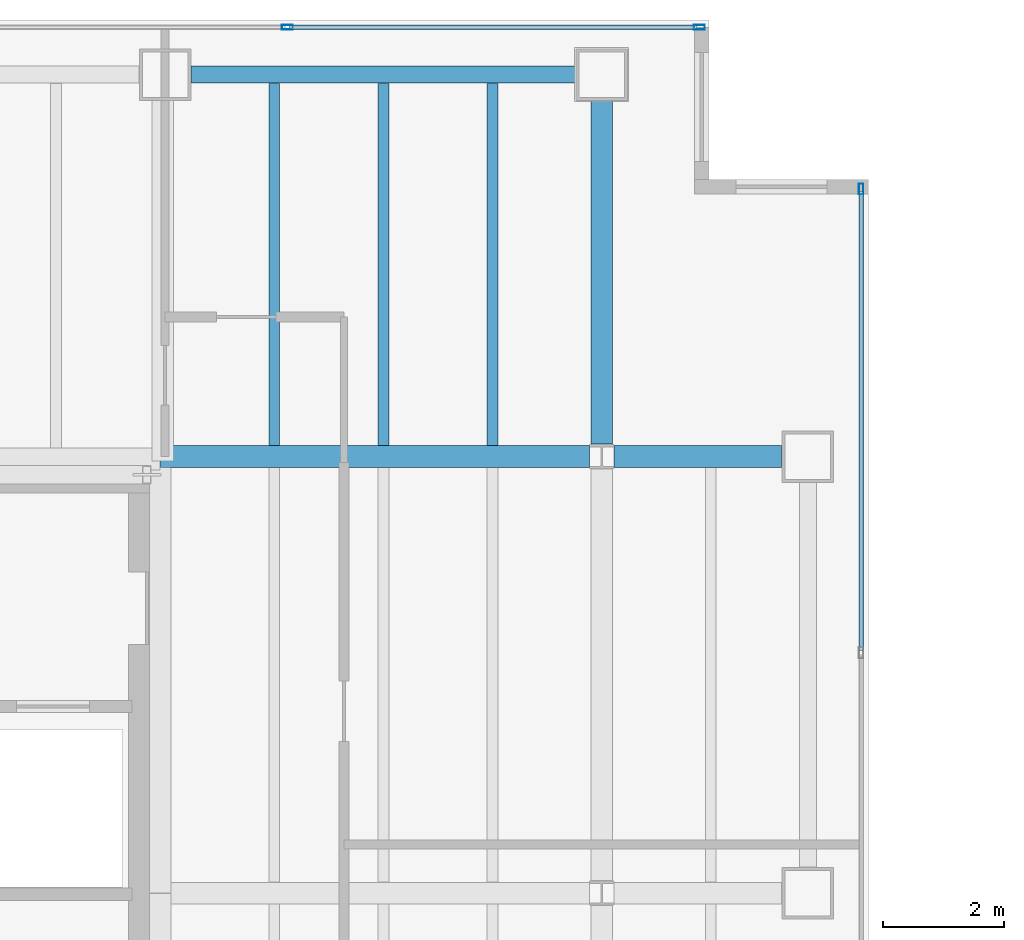
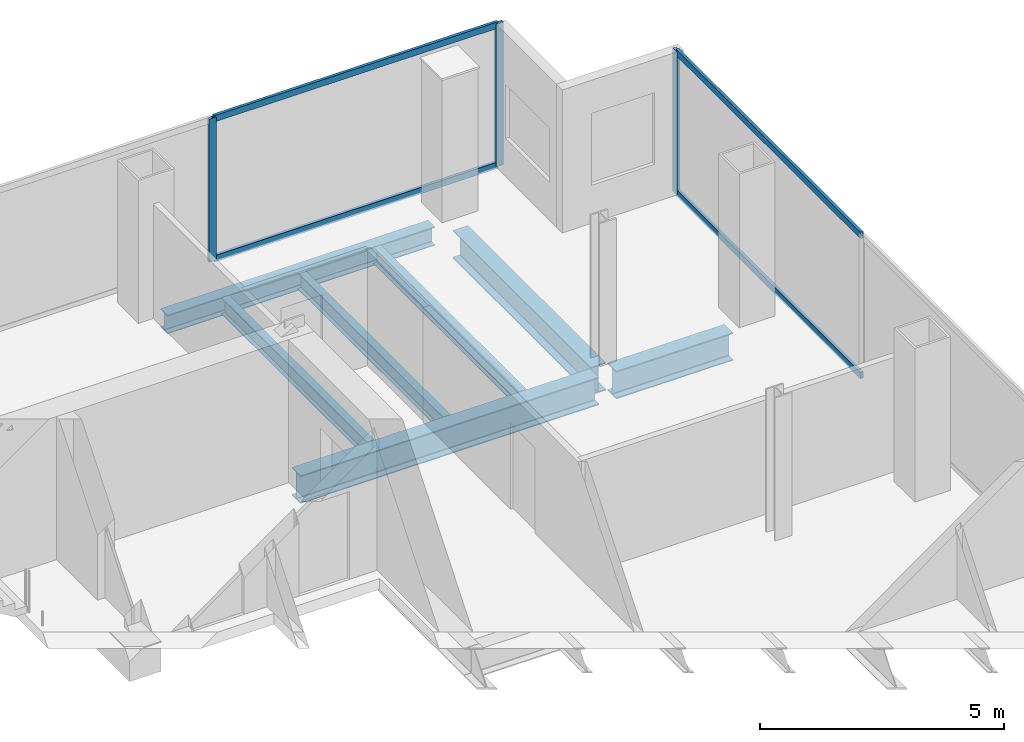
# One storey, part 18 of 23: 7 beams, 7 members, 2 elements without a shape of their own.
"""IFC4 building model written with IfcOpenShell, lengths in metres."""

from ifc_helpers import new_model, si_unit, direction, frame, origin, origin_2d, place, context, subcontext, project, spatial, hollow_rectangle, i_section, extrude, material, material_profile, profile_set, type_object, element, aggregate, save


model = new_model("IFC4")

# Units and contexts
model_context = context("Model", 3, precision=1e-05, world=origin(), true_north=direction((0.0, 1.0)))
body_context = subcontext(model_context, "Body", "Model", "MODEL_VIEW")
ifc_project = project(units=[si_unit("LENGTHUNIT", "METRE"), si_unit("AREAUNIT", "SQUARE_METRE"), si_unit("VOLUMEUNIT", "CUBIC_METRE"), si_unit("PLANEANGLEUNIT", "RADIAN"), si_unit("MASSUNIT", "GRAM", prefix="KILO")], contexts=[model_context])

# Site, building, storey
site_placement = place(None, origin())
site = spatial("IfcSite", under=ifc_project, at=site_placement, CompositionType="ELEMENT")
building_placement = place(site_placement, origin())
building = spatial("IfcBuilding", under=site, at=building_placement, Name="Cobrela Telecom Tower", CompositionType="ELEMENT")
storey_placement = place(building_placement, frame((0.0, 0.0, 159.949951171875)))
storey = spatial("IfcBuildingStorey", under=building, at=storey_placement, Name="L40", CompositionType="ELEMENT", Elevation=159.949951171875)

# Beams
ifc_material_1 = material(Name="Steel ASTM A992 Grade 50", Category="steel")
ifc_material_profile_1 = material_profile(ifc_material_1, i_section(OverallWidth=0.35595703125, OverallDepth=0.696044921875, WebThickness=0.015380859375, FlangeThickness=0.024658203125, FilletRadius=0.01806640625, at=origin_2d()), Name="W27X146")
ifc_profile_set_1 = profile_set([ifc_material_profile_1], Name="Steel ASTM A992 Grade 50")
beam_type_1 = type_object("IfcBeamType", Name="BM-GIRD-05", PredefinedType="USERDEFINED", material=ifc_profile_set_1)
beam_1_placement = place(storey_placement, frame((14.324951171875, 36.0, -0.617919921875), z_axis=(1.0, 0.0, 0.0), x_axis=(0.0, 1.0, 0.0)))
element("IfcBeam", 1, at=beam_1_placement, inside=storey, type_object=beam_type_1, Name="L40 Primary Girder X23", ObjectType="GIRDER", PredefinedType="USERDEFINED", context=body_context, shape_type="SweptSolid", body=[
    extrude(i_section(OverallWidth=0.35595703125, OverallDepth=0.696044921875, WebThickness=0.015380859375, FlangeThickness=0.024658203125, FilletRadius=0.01806640625, at=origin_2d()), origin(), (0.0, 0.0, 1.0), 7.070556640625),
])
beam_2_placement = place(storey_placement, frame((21.804443359375, 36.0, -0.617919921875), z_axis=(1.0, 0.0, 0.0), x_axis=(0.0, 1.0, 0.0)))
element("IfcBeam", 2, at=beam_2_placement, inside=storey, type_object=beam_type_1, Name="L40 Primary Girder X24", ObjectType="GIRDER", PredefinedType="USERDEFINED", context=body_context, shape_type="SweptSolid", body=[
    extrude(i_section(OverallWidth=0.35595703125, OverallDepth=0.696044921875, WebThickness=0.015380859375, FlangeThickness=0.024658203125, FilletRadius=0.01806640625, at=origin_2d()), origin(), (0.0, 0.0, 1.0), 2.765625),
])
beam_3_placement = place(storey_placement, frame((21.60009765625, 36.20458984375, -0.617919921875), z_axis=(0.0, 1.0, 0.0), x_axis=(-1.0, 0.0, 0.0)))
element("IfcBeam", 3, at=beam_3_placement, inside=storey, type_object=beam_type_1, Name="L40 Primary Girder Y40", ObjectType="GIRDER", PredefinedType="USERDEFINED", context=body_context, shape_type="SweptSolid", body=[
    extrude(i_section(OverallWidth=0.35595703125, OverallDepth=0.696044921875, WebThickness=0.015380859375, FlangeThickness=0.024658203125, FilletRadius=0.01806640625, at=origin_2d()), origin(), (0.0, 0.0, 1.0), 5.66552734375),
])
ifc_material_profile_2 = material_profile(ifc_material_1, i_section(OverallWidth=0.179931640625, OverallDepth=0.4169921875, WebThickness=0.010986328125, FlangeThickness=0.01806640625, FilletRadius=0.011962890625, at=origin_2d()), Name="W16X57")
ifc_profile_set_2 = profile_set([ifc_material_profile_2], Name="Steel ASTM A992 Grade 50")
beam_type_2 = type_object("IfcBeamType", Name="BM-JOIST-04", PredefinedType="JOIST", material=ifc_profile_set_2)
for number, where, z_axis, x_axis, name in (
    (4, (16.199951171875, 36.18310546875, -0.478515625), (0.0, 1.0, 0.0), (-1.0, 0.0, 0.0), "L40 Secondary Composite Floor Beam J08"),
    (5, (18.0, 36.18310546875, -0.478515625), (0.0, 1.0, 0.0), (-1.0, 0.0, 0.0), "L40 Secondary Composite Floor Beam J13"),
    (6, (19.800048828125, 36.18310546875, -0.478515625), (0.0, 1.0, 0.0), (-1.0, 0.0, 0.0), "L40 Secondary Composite Floor Beam J18"),
):
    element("IfcBeam", number, at=place(storey_placement, frame(where, z_axis=z_axis, x_axis=x_axis)), inside=storey, type_object=beam_type_2, Name=name, PredefinedType="JOIST", context=body_context, shape_type="SweptSolid", body=[
        extrude(i_section(OverallWidth=0.179931640625, OverallDepth=0.4169921875, WebThickness=0.010986328125, FlangeThickness=0.01806640625, FilletRadius=0.011962890625, at=origin_2d()), origin(), (0.0, 0.0, 1.0), 5.970947265625),
    ])
ifc_material_profile_3 = material_profile(ifc_material_1, i_section(OverallWidth=0.281982421875, OverallDepth=0.467041015625, WebThickness=0.01220703125, FlangeThickness=0.01953125, FilletRadius=0.012939453125, at=origin_2d()), Name="W18X86")
ifc_profile_set_3 = profile_set([ifc_material_profile_3], Name="Steel ASTM A992 Grade 50")
beam_type_3 = type_object("IfcBeamType", Name="BM-SPAND-04", PredefinedType="SPANDREL", material=ifc_profile_set_3)
beam_4_placement = place(storey_placement, frame((14.830078125, 42.300048828125, -0.50341796875), z_axis=(1.0, 0.0, 0.0), x_axis=(0.0, 1.0, 0.0)))
element("IfcBeam", 7, at=beam_4_placement, inside=storey, type_object=beam_type_3, Name="L40 Perimeter Spandrel X26", PredefinedType="SPANDREL", context=body_context, shape_type="SweptSolid", body=[
    extrude(i_section(OverallWidth=0.281982421875, OverallDepth=0.467041015625, WebThickness=0.01220703125, FlangeThickness=0.01953125, FilletRadius=0.012939453125, at=origin_2d()), origin(), (0.0, 0.0, 1.0), 6.33984375),
])

# Curtain wall, members
ifc_material_2 = material(Name="Anodized Bronze Aluminium 6063-T6", Category="aluminium")
curtain_wall_type = type_object("IfcCurtainWallType", Name="CW-SYS-TEL", PredefinedType="USERDEFINED", material=ifc_material_2)
curtain_wall_1_placement = place(storey_placement, origin())
curtain_wall_1 = element("IfcCurtainWall", 8, at=curtain_wall_1_placement, inside=storey, type_object=curtain_wall_type, Name="L40 Unitised Bronze Curtain Wall 07", ObjectType="UNITISED CURTAIN WALL", PredefinedType="USERDEFINED")
ifc_material_profile_4 = material_profile(ifc_material_2, hollow_rectangle(XDim=0.074951171875, YDim=0.179931640625, WallThickness=0.00390625, at=origin_2d()), Name="ALU 75x180x4")
ifc_profile_set_4 = profile_set([ifc_material_profile_4], Name="Anodized Bronze Aluminium 6063-T6")
member_type_1 = type_object("IfcMemberType", Name="CW-SYS-TEL-MUL", PredefinedType="MULLION", material=ifc_profile_set_4)
member_1_placement = place(storey_placement, frame((16.416748046875, 43.080078125, 0.0), z_axis=(0.0, 0.0, 1.0), x_axis=(0.0, 1.0, 0.0)))
member_1 = element("IfcMember", 9, at=member_1_placement, type_object=member_type_1, Name="CW-TEL mullion 3", PredefinedType="MULLION", context=body_context, shape_type="SweptSolid", body=[
    extrude(hollow_rectangle(XDim=0.074951171875, YDim=0.179931640625, WallThickness=0.00390625, at=origin_2d()), origin(), (0.0, 0.0, 1.0), 3.580078125),
])
member_2_placement = place(storey_placement, frame((23.21240234375, 43.080078125, 0.0), z_axis=(0.0, 0.0, 1.0), x_axis=(0.0, 1.0, 0.0)))
member_2 = element("IfcMember", 10, at=member_2_placement, type_object=member_type_1, Name="CW-TEL mullion 4", PredefinedType="MULLION", context=body_context, shape_type="SweptSolid", body=[
    extrude(hollow_rectangle(XDim=0.074951171875, YDim=0.179931640625, WallThickness=0.00390625, at=origin_2d()), origin(), (0.0, 0.0, 1.0), 3.580078125),
])

# Curtain wall, member
curtain_wall_2_placement = place(storey_placement, origin())
curtain_wall_2 = element("IfcCurtainWall", 11, at=curtain_wall_2_placement, inside=storey, type_object=curtain_wall_type, Name="L40 Unitised Bronze Curtain Wall 10", ObjectType="UNITISED CURTAIN WALL", PredefinedType="USERDEFINED")
member_3_placement = place(storey_placement, frame((25.8798828125, 40.41259765625, 0.0), z_axis=(0.0, 0.0, 1.0), x_axis=(1.0, 0.0, 0.0)))
member_3 = element("IfcMember", 12, at=member_3_placement, type_object=member_type_1, Name="CW-TEL mullion 1", PredefinedType="MULLION", context=body_context, shape_type="SweptSolid", body=[
    extrude(hollow_rectangle(XDim=0.074951171875, YDim=0.179931640625, WallThickness=0.00390625, at=origin_2d()), origin(), (0.0, 0.0, 1.0), 3.580078125),
])

# Member
ifc_material_profile_5 = material_profile(ifc_material_2, hollow_rectangle(XDim=0.070068359375, YDim=0.159912109375, WallThickness=0.00390625, at=origin_2d()), Name="ALU 70x160x4")
ifc_profile_set_5 = profile_set([ifc_material_profile_5], Name="Anodized Bronze Aluminium 6063-T6")
member_type_2 = type_object("IfcMemberType", Name="CW-SYS-TEL-TRN", PredefinedType="USERDEFINED", material=ifc_profile_set_5)
member_4_placement = place(storey_placement, frame((16.4541015625, 43.080078125, 0.03515625), z_axis=(1.0, 0.0, 0.0), x_axis=(0.0, 1.0, 0.0)))
member_4 = element("IfcMember", 13, at=member_4_placement, type_object=member_type_2, Name="CW-TEL transom 3.1", ObjectType="TRANSOM", PredefinedType="USERDEFINED", context=body_context, shape_type="SweptSolid", body=[
    extrude(hollow_rectangle(XDim=0.070068359375, YDim=0.159912109375, WallThickness=0.00390625, at=origin_2d()), origin(), (0.0, 0.0, 1.0), 6.720947265625),
])

member_5_placement = place(storey_placement, frame((16.4541015625, 43.080078125, 3.545166015625), z_axis=(1.0, 0.0, 0.0), x_axis=(0.0, 1.0, 0.0)))
member_5 = element("IfcMember", 14, at=member_5_placement, type_object=member_type_2, Name="CW-TEL transom 3.2", ObjectType="TRANSOM", PredefinedType="USERDEFINED", context=body_context, shape_type="SweptSolid", body=[
    extrude(hollow_rectangle(XDim=0.070068359375, YDim=0.159912109375, WallThickness=0.00390625, at=origin_2d()), origin(), (0.0, 0.0, 1.0), 6.720947265625),
])

aggregate(curtain_wall_1, [member_1, member_2, member_4, member_5])

member_6_placement = place(storey_placement, frame((25.8798828125, 40.375, 0.03515625), z_axis=(0.0, -1.0, 0.0), x_axis=(1.0, 0.0, 0.0)))
member_6 = element("IfcMember", 15, at=member_6_placement, type_object=member_type_2, Name="CW-TEL transom 1.1", ObjectType="TRANSOM", PredefinedType="USERDEFINED", context=body_context, shape_type="SweptSolid", body=[
    extrude(hollow_rectangle(XDim=0.070068359375, YDim=0.159912109375, WallThickness=0.00390625, at=origin_2d()), origin(), (0.0, 0.0, 1.0), 7.572509765625),
])

member_7_placement = place(storey_placement, frame((25.8798828125, 40.375, 3.545166015625), z_axis=(0.0, -1.0, 0.0), x_axis=(1.0, 0.0, 0.0)))
member_7 = element("IfcMember", 16, at=member_7_placement, type_object=member_type_2, Name="CW-TEL transom 1.2", ObjectType="TRANSOM", PredefinedType="USERDEFINED", context=body_context, shape_type="SweptSolid", body=[
    extrude(hollow_rectangle(XDim=0.070068359375, YDim=0.159912109375, WallThickness=0.00390625, at=origin_2d()), origin(), (0.0, 0.0, 1.0), 7.572509765625),
])

aggregate(curtain_wall_2, [member_3, member_6, member_7])

save(model, "model.ifc")
